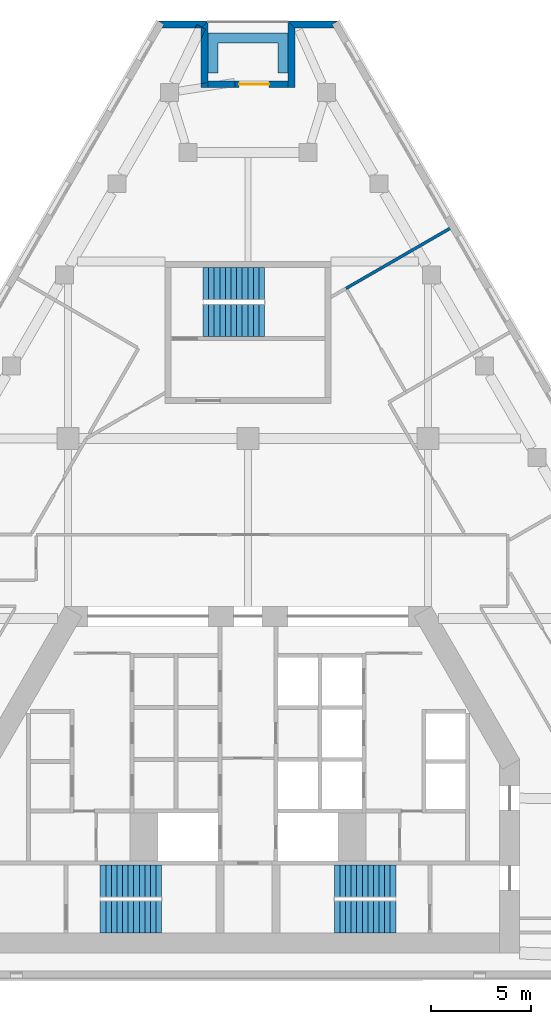
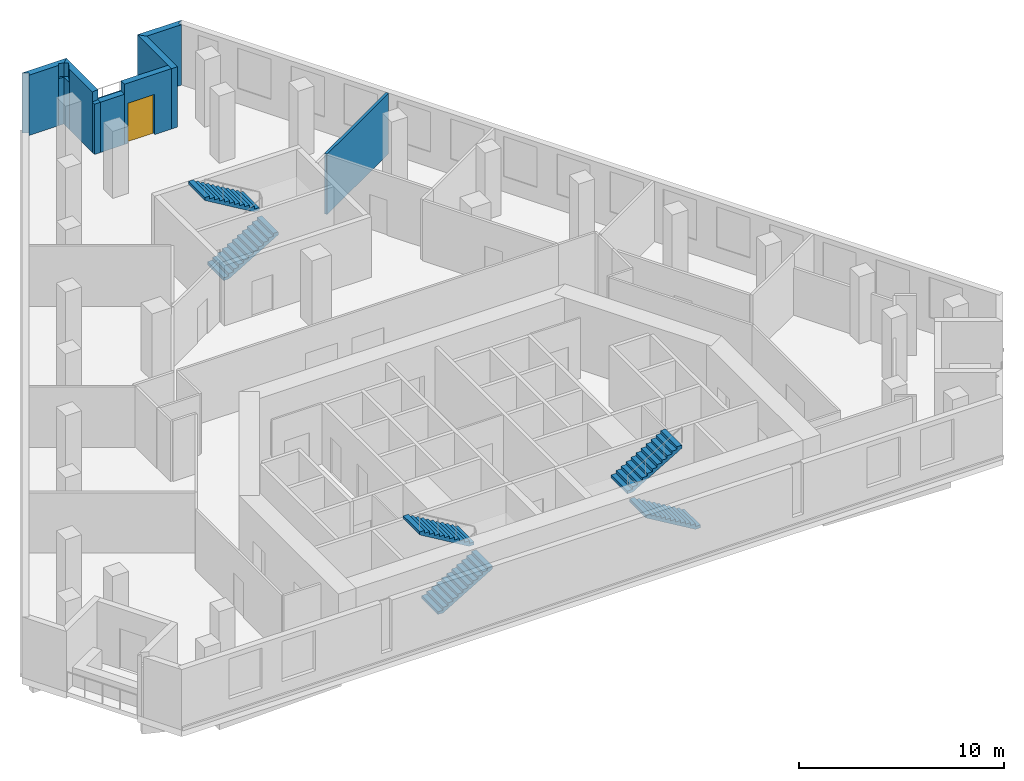
# One storey, part 8 of 9: 11 walls, 6 stair flights, 1 door, 1 opening, 3 elements without a shape of their own.
"""IFC4 building model written with IfcOpenShell, lengths in metres."""

from ifc_helpers import new_model, si_unit, direction, frame, frame_2d, origin, place, context, subcontext, project, spatial, polyline, rectangle, outline, extrude, material, layer, layer_set, type_object, element, fill, aggregate, save


model = new_model("IFC4")

# Units and contexts
model_context = context("Model", 3, precision=1e-05, world=origin(), true_north=direction((0.0, 1.0)))
body_context = subcontext(model_context, "Body", "Model", "MODEL_VIEW")
ifc_project = project(units=[si_unit("LENGTHUNIT", "METRE"), si_unit("AREAUNIT", "SQUARE_METRE"), si_unit("VOLUMEUNIT", "CUBIC_METRE"), si_unit("PLANEANGLEUNIT", "RADIAN"), si_unit("MASSUNIT", "GRAM", prefix="KILO")], contexts=[model_context])

# Site, building, storey
site_placement = place(None, origin())
site = spatial("IfcSite", under=ifc_project, at=site_placement, CompositionType="ELEMENT")
building_placement = place(site_placement, origin())
building = spatial("IfcBuilding", under=site, at=building_placement, Name="Fogline Exchange Tower", CompositionType="ELEMENT")
storey_placement = place(building_placement, frame((0.0, 0.0, 198.10009765625)))
storey = spatial("IfcBuildingStorey", under=building, at=storey_placement, Name="L44", CompositionType="ELEMENT", Elevation=198.10009765625)

# Walls
ifc_material_1 = material(Name="Brick masonry", Category="masonry")
ifc_layer_1 = layer(ifc_material_1, 0.340087890625)
ifc_layer_set_1 = layer_set([ifc_layer_1], Name="FW1")
wall_type_1 = type_object("IfcWallType", Name="FW1", PredefinedType="SOLIDWALL", material=ifc_layer_set_1)
wall_1_placement = place(storey_placement, origin())
element("IfcWall", 1, at=wall_1_placement, inside=storey, type_object=wall_type_1, Name="Brick wall L44 N-c1", PredefinedType="SOLIDWALL", context=body_context, shape_type="SweptSolid", body=[
    extrude(outline(polyline([(1.9990234375, 47.9072265625), (4.5009765625, 47.9072265625), (4.501220703125, 47.90673828125), (4.206298828125, 47.736328125), (4.3046875, 47.566162109375), (2.33984375, 47.566162109375), (1.998779296875, 47.906982421875), (1.9990234375, 47.9072265625)])), origin(), (0.0, 0.0, 1.0), 3.599853515625),
])
wall_2_placement = place(storey_placement, origin())
element("IfcWall", 2, at=wall_2_placement, inside=storey, type_object=wall_type_1, Name="Brick wall L44 N-s1", PredefinedType="SOLIDWALL", context=body_context, shape_type="SweptSolid", body=[
    extrude(outline(polyline([(2.340576171875, 44.566162109375), (1.99951171875, 44.566162109375), (1.99951171875, 47.90771484375), (1.999755859375, 47.90771484375), (2.340576171875, 47.56689453125), (2.340576171875, 44.566162109375)])), origin(), (0.0, 0.0, 1.0), 3.599853515625),
])

# Wall, opening, door
wall_3_placement = place(storey_placement, frame((2.0, 44.736572265625, 0.0), z_axis=(0.0, 0.0, 1.0), x_axis=(-1.0, 0.0, 0.0)))
wall_3 = element("IfcWall", 3, at=wall_3_placement, inside=storey, type_object=wall_type_1, Name="Brick wall L44 N-bk", PredefinedType="SOLIDWALL", context=body_context, shape_type="SweptSolid", body=[
    extrude(rectangle(XDim=2.64892578125, YDim=0.340087890625, at=frame_2d((1.324462890625, 0.0))), origin(), (0.0, 0.0, 1.0), 3.599853515625),
])
opening_placement = place(wall_3_placement, frame((0.948974609375, 0.0, 0.0)))
opening = element("IfcOpeningElement", 4, at=opening_placement, cuts=wall_3, Name="Opening T14-E141", PredefinedType="OPENING", context=body_context, shape_type="SweptSolid", body=[
    extrude(rectangle(XDim=1.5, YDim=2.39990234375, at=frame_2d((0.75, 1.199951171875))), frame((0.0, 0.18017578125, 0.0), z_axis=(0.0, -1.0, 0.0), x_axis=(1.0, 0.0, 0.0)), (0.0, 0.0, 1.0), 0.360107421875),
])
ifc_material_2 = material(Name="Aluminium and glass", Category="aluminium")
door_type = type_object("IfcDoorType", Name="ED4", OperationType="SINGLE_SWING_LEFT", PredefinedType="DOOR", material=ifc_material_2)
door_placement = place(opening_placement, frame((1.5, 0.0, 0.0), z_axis=(0.0, 0.0, 1.0), x_axis=(-1.0, 0.0, 0.0)))
door = element("IfcDoor", 5, at=door_placement, inside=storey, type_object=door_type, Name="Balcony door L44 N", OperationType="DOUBLE_DOOR_SINGLE_SWING", OverallHeight=2.39990234375, OverallWidth=1.5, PredefinedType="DOOR", context=body_context, shape_type="SweptSolid", body=[
    extrude(rectangle(XDim=1.5, YDim=2.39990234375, at=frame_2d((0.75, 1.199951171875))), frame((0.0, 0.02490234375, 0.0), z_axis=(0.0, -1.0, 0.0), x_axis=(1.0, 0.0, 0.0)), (0.0, 0.0, 1.0), 0.050048828125),
])
fill(opening, door)

# Walls
wall_4_placement = place(storey_placement, frame((-0.64892578125, 44.736572265625, 0.0), z_axis=(0.0, 0.0, 1.0), x_axis=(-1.0, 0.0, 0.0)))
element("IfcWall", 6, at=wall_4_placement, inside=storey, type_object=wall_type_1, Name="Brick wall L44 N-bk", PredefinedType="SOLIDWALL", context=body_context, shape_type="SweptSolid", body=[
    extrude(rectangle(XDim=1.35107421875, YDim=0.340087890625, at=frame_2d((0.675537109375, 0.0))), origin(), (0.0, 0.0, 1.0), 3.0),
])
wall_5_placement = place(storey_placement, origin())
element("IfcWall", 7, at=wall_5_placement, inside=storey, type_object=wall_type_1, Name="Brick wall L44 N-s2", PredefinedType="SOLIDWALL", context=body_context, shape_type="SweptSolid", body=[
    extrude(outline(polyline([(-2.340576171875, 47.56689453125), (-2.31005859375, 47.597412109375), (-2.11474609375, 47.503173828125), (-2.340576171875, 47.03466796875), (-2.340576171875, 47.56689453125)])), origin(), (0.0, 0.0, 1.0), 2.7998046875),
])
wall_6_placement = place(storey_placement, origin())
element("IfcWall", 8, at=wall_6_placement, inside=storey, type_object=wall_type_1, Name="Brick wall L44 N-s2", PredefinedType="SOLIDWALL", context=body_context, shape_type="SweptSolid", body=[
    extrude(outline(polyline([(-2.340576171875, 44.566162109375), (-2.340576171875, 44.774658203125), (-1.99951171875, 44.82763671875), (-1.99951171875, 44.566162109375), (-2.340576171875, 44.566162109375)])), origin(), (0.0, 0.0, 1.0), 3.0),
])
wall_7_placement = place(storey_placement, origin())
element("IfcWall", 9, at=wall_7_placement, inside=storey, type_object=wall_type_1, Name="Brick wall L44 N-s2", PredefinedType="SOLIDWALL", context=body_context, shape_type="SweptSolid", body=[
    extrude(outline(polyline([(-2.340576171875, 47.03466796875), (-2.11474609375, 47.503173828125), (-2.31005859375, 47.597412109375), (-1.999755859375, 47.90771484375), (-1.99951171875, 47.90771484375), (-1.99951171875, 44.82763671875), (-2.340576171875, 44.774658203125), (-2.340576171875, 47.03466796875)])), origin(), (0.0, 0.0, 1.0), 3.599853515625),
])
wall_8_placement = place(storey_placement, origin())
element("IfcWall", 10, at=wall_8_placement, inside=storey, type_object=wall_type_1, Name="Brick wall L44 N-c2", PredefinedType="SOLIDWALL", context=body_context, shape_type="SweptSolid", body=[
    extrude(outline(polyline([(-2.33984375, 47.566162109375), (-2.6396484375, 47.566162109375), (-2.565185546875, 47.72021484375), (-2.30908203125, 47.596923828125), (-2.33984375, 47.566162109375)])), origin(), (0.0, 0.0, 1.0), 2.7998046875),
])
wall_9_placement = place(storey_placement, origin())
element("IfcWall", 11, at=wall_9_placement, inside=storey, type_object=wall_type_1, Name="Brick wall L44 N-c2", PredefinedType="SOLIDWALL", context=body_context, shape_type="SweptSolid", body=[
    extrude(outline(polyline([(-4.206298828125, 47.736328125), (-4.501220703125, 47.90673828125), (-4.5009765625, 47.9072265625), (-1.9990234375, 47.9072265625), (-1.998779296875, 47.906982421875), (-2.30908203125, 47.596923828125), (-2.565185546875, 47.72021484375), (-2.6396484375, 47.566162109375), (-4.3046875, 47.566162109375), (-4.206298828125, 47.736328125)])), origin(), (0.0, 0.0, 1.0), 3.599853515625),
])
ifc_material_3 = material(Name="Concrete C30", Category="concrete")
ifc_layer_2 = layer(ifc_material_3, 0.199951171875)
ifc_layer_set_2 = layer_set([ifc_layer_2], Name="PL1")
wall_type_2 = type_object("IfcWallType", Name="PL1", PredefinedType="USERDEFINED", material=ifc_layer_set_2)
wall_10_placement = place(storey_placement, origin())
element("IfcWall", 12, at=wall_10_placement, inside=storey, type_object=wall_type_2, Name="PLANTER balcony L44 N", ObjectType="PLANTER", PredefinedType="USERDEFINED", context=body_context, shape_type="SweptSolid", body=[
    extrude(outline(polyline([(-1.5, 47.306640625), (-2.0, 47.306640625), (-2.0, 46.806640625), (-2.0, 45.306640625), (-1.5, 45.306640625), (-1.5, 46.806640625), (1.5, 46.806640625), (1.5, 45.306640625), (2.0, 45.306640625), (2.0, 46.806640625), (2.0, 47.306640625), (1.5, 47.306640625), (-1.5, 47.306640625)])), origin(), (0.0, 0.0, 1.0), 1.099853515625),
])
ifc_material_4 = material(Name="Plasterboard demising partition with mineral wool and acoustic board")
ifc_layer_3 = layer(ifc_material_4, 0.14990234375)
ifc_layer_set_3 = layer_set([ifc_layer_3], Name="PW3")
wall_type_3 = type_object("IfcWallType", Name="PW3", PredefinedType="PARTITIONING", material=ifc_layer_set_3)
wall_11_placement = place(storey_placement, frame((4.9072265625, 34.52099609375, 0.0), z_axis=(0.0, 0.0, 1.0), x_axis=(0.866031096941, 0.499990139034, 0.0)))
element("IfcWall", 13, at=wall_11_placement, inside=storey, type_object=wall_type_3, Name="wall-L44-W026", PredefinedType="PARTITIONING", context=body_context, shape_type="SweptSolid", body=[
    extrude(rectangle(XDim=6.0, YDim=0.14990234375, at=frame_2d((3.0, 0.0))), origin(), (0.0, 0.0, 1.0), 3.599853515625),
])

# Stair, stair flights
ifc_material_5 = material(Name="Concrete C40", Category="concrete")
stair_type = type_object("IfcStairType", Name="STR24-1667", PredefinedType="HALF_TURN_STAIR", material=ifc_material_5)
stair_1_placement = place(storey_placement, origin())
stair_1 = element("IfcStair", 14, at=stair_1_placement, inside=storey, type_object=stair_type, Name="Stair ST1", PredefinedType="HALF_TURN_STAIR")
stair_flight_type = type_object("IfcStairFlightType", Name="SF12-1667", PredefinedType="STRAIGHT", material=ifc_material_5)
stair_flight_1_placement = place(storey_placement, frame((-7.39990234375, 3.050048828125, 0.0), z_axis=(0.0, 0.0, 1.0), x_axis=(1.0, 0.0, 0.0)))
stair_flight_1 = element("IfcStairFlight", 15, at=stair_flight_1_placement, type_object=stair_flight_type, Name="ST1 flight 1", NumberOfRisers=12, NumberOfTreads=11, PredefinedType="STRAIGHT", RiserHeight=0.166666667, TreadLength=0.28, context=body_context, shape_type="SweptSolid", body=[
    extrude(outline(polyline([(0.0, 0.0), (0.0, 0.166748046875), (0.280029296875, 0.166748046875), (0.280029296875, 0.333251953125), (0.56005859375, 0.333251953125), (0.56005859375, 0.5), (0.840087890625, 0.5), (0.840087890625, 0.666748046875), (1.1201171875, 0.666748046875), (1.1201171875, 0.833251953125), (1.39990234375, 0.833251953125), (1.39990234375, 1.0), (1.679931640625, 1.0), (1.679931640625, 1.166748046875), (1.9599609375, 1.166748046875), (1.9599609375, 1.333251953125), (2.239990234375, 1.333251953125), (2.239990234375, 1.5), (2.52001953125, 1.5), (2.52001953125, 1.666748046875), (2.800048828125, 1.666748046875), (2.800048828125, 1.833251953125), (3.080078125, 1.833251953125), (3.080078125, 2.0), (3.080078125, 1.658935546875), (0.29296875, 0.0), (0.0, 0.0)])), frame((0.0, 0.800048828125, 0.0), z_axis=(0.0, -1.0, 0.0), x_axis=(1.0, 0.0, 0.0)), (0.0, 0.0, 1.0), 1.60009765625),
])
stair_flight_2_placement = place(storey_placement, frame((-4.320068359375, 4.85009765625, 2.0), z_axis=(0.0, 0.0, 1.0), x_axis=(-1.0, 0.0, 0.0)))
stair_flight_2 = element("IfcStairFlight", 16, at=stair_flight_2_placement, type_object=stair_flight_type, Name="ST1 flight 2", NumberOfRisers=12, NumberOfTreads=11, PredefinedType="STRAIGHT", RiserHeight=0.166666667, TreadLength=0.28, context=body_context, shape_type="SweptSolid", body=[
    extrude(outline(polyline([(0.0, 0.0), (0.0, 0.166748046875), (0.280029296875, 0.166748046875), (0.280029296875, 0.333251953125), (0.56005859375, 0.333251953125), (0.56005859375, 0.5), (0.840087890625, 0.5), (0.840087890625, 0.666748046875), (1.1201171875, 0.666748046875), (1.1201171875, 0.833251953125), (1.39990234375, 0.833251953125), (1.39990234375, 1.0), (1.679931640625, 1.0), (1.679931640625, 1.166748046875), (1.9599609375, 1.166748046875), (1.9599609375, 1.333251953125), (2.239990234375, 1.333251953125), (2.239990234375, 1.5), (2.52001953125, 1.5), (2.52001953125, 1.666748046875), (2.800048828125, 1.666748046875), (2.800048828125, 1.833251953125), (3.080078125, 1.833251953125), (3.080078125, 2.0), (3.080078125, 1.658935546875), (0.29296875, 0.0), (0.0, 0.0)])), frame((0.0, 0.800048828125, 0.0), z_axis=(0.0, -1.0, 0.0), x_axis=(1.0, 0.0, 0.0)), (0.0, 0.0, 1.0), 1.60009765625),
])
aggregate(stair_1, [stair_flight_1, stair_flight_2])

stair_2_placement = place(storey_placement, origin())
stair_2 = element("IfcStair", 17, at=stair_2_placement, inside=storey, type_object=stair_type, Name="Stair ST2", PredefinedType="HALF_TURN_STAIR")
stair_flight_3_placement = place(storey_placement, frame((7.39990234375, 3.050048828125, 0.0), z_axis=(0.0, 0.0, 1.0), x_axis=(-1.0, 0.0, 0.0)))
stair_flight_3 = element("IfcStairFlight", 18, at=stair_flight_3_placement, type_object=stair_flight_type, Name="ST2 flight 1", NumberOfRisers=12, NumberOfTreads=11, PredefinedType="STRAIGHT", RiserHeight=0.166666667, TreadLength=0.28, context=body_context, shape_type="SweptSolid", body=[
    extrude(outline(polyline([(0.0, 0.0), (0.0, 0.166748046875), (0.280029296875, 0.166748046875), (0.280029296875, 0.333251953125), (0.56005859375, 0.333251953125), (0.56005859375, 0.5), (0.840087890625, 0.5), (0.840087890625, 0.666748046875), (1.1201171875, 0.666748046875), (1.1201171875, 0.833251953125), (1.39990234375, 0.833251953125), (1.39990234375, 1.0), (1.679931640625, 1.0), (1.679931640625, 1.166748046875), (1.9599609375, 1.166748046875), (1.9599609375, 1.333251953125), (2.239990234375, 1.333251953125), (2.239990234375, 1.5), (2.52001953125, 1.5), (2.52001953125, 1.666748046875), (2.800048828125, 1.666748046875), (2.800048828125, 1.833251953125), (3.080078125, 1.833251953125), (3.080078125, 2.0), (3.080078125, 1.658935546875), (0.29296875, 0.0), (0.0, 0.0)])), frame((0.0, 0.800048828125, 0.0), z_axis=(0.0, -1.0, 0.0), x_axis=(1.0, 0.0, 0.0)), (0.0, 0.0, 1.0), 1.60009765625),
])
stair_flight_4_placement = place(storey_placement, frame((4.320068359375, 4.85009765625, 2.0), z_axis=(0.0, 0.0, 1.0), x_axis=(1.0, 0.0, 0.0)))
stair_flight_4 = element("IfcStairFlight", 19, at=stair_flight_4_placement, type_object=stair_flight_type, Name="ST2 flight 2", NumberOfRisers=12, NumberOfTreads=11, PredefinedType="STRAIGHT", RiserHeight=0.166666667, TreadLength=0.28, context=body_context, shape_type="SweptSolid", body=[
    extrude(outline(polyline([(0.0, 0.0), (0.0, 0.166748046875), (0.280029296875, 0.166748046875), (0.280029296875, 0.333251953125), (0.56005859375, 0.333251953125), (0.56005859375, 0.5), (0.840087890625, 0.5), (0.840087890625, 0.666748046875), (1.1201171875, 0.666748046875), (1.1201171875, 0.833251953125), (1.39990234375, 0.833251953125), (1.39990234375, 1.0), (1.679931640625, 1.0), (1.679931640625, 1.166748046875), (1.9599609375, 1.166748046875), (1.9599609375, 1.333251953125), (2.239990234375, 1.333251953125), (2.239990234375, 1.5), (2.52001953125, 1.5), (2.52001953125, 1.666748046875), (2.800048828125, 1.666748046875), (2.800048828125, 1.833251953125), (3.080078125, 1.833251953125), (3.080078125, 2.0), (3.080078125, 1.658935546875), (0.29296875, 0.0), (0.0, 0.0)])), frame((0.0, 0.800048828125, 0.0), z_axis=(0.0, -1.0, 0.0), x_axis=(1.0, 0.0, 0.0)), (0.0, 0.0, 1.0), 1.60009765625),
])
aggregate(stair_2, [stair_flight_3, stair_flight_4])

stair_3_placement = place(storey_placement, origin())
stair_3 = element("IfcStair", 20, at=stair_3_placement, inside=storey, type_object=stair_type, Name="Stair ST3", PredefinedType="HALF_TURN_STAIR")
stair_flight_5_placement = place(storey_placement, frame((-2.25, 32.906982421875, 0.0), z_axis=(0.0, 0.0, 1.0), x_axis=(1.0, 0.0, 0.0)))
stair_flight_5 = element("IfcStairFlight", 21, at=stair_flight_5_placement, type_object=stair_flight_type, Name="ST3 flight 1", NumberOfRisers=12, NumberOfTreads=11, PredefinedType="STRAIGHT", RiserHeight=0.166666667, TreadLength=0.28, context=body_context, shape_type="SweptSolid", body=[
    extrude(outline(polyline([(0.0, 0.0), (0.0, 0.166748046875), (0.280029296875, 0.166748046875), (0.280029296875, 0.333251953125), (0.56005859375, 0.333251953125), (0.56005859375, 0.5), (0.840087890625, 0.5), (0.840087890625, 0.666748046875), (1.1201171875, 0.666748046875), (1.1201171875, 0.833251953125), (1.39990234375, 0.833251953125), (1.39990234375, 1.0), (1.679931640625, 1.0), (1.679931640625, 1.166748046875), (1.9599609375, 1.166748046875), (1.9599609375, 1.333251953125), (2.239990234375, 1.333251953125), (2.239990234375, 1.5), (2.52001953125, 1.5), (2.52001953125, 1.666748046875), (2.800048828125, 1.666748046875), (2.800048828125, 1.833251953125), (3.080078125, 1.833251953125), (3.080078125, 2.0), (3.080078125, 1.658935546875), (0.29296875, 0.0), (0.0, 0.0)])), frame((0.0, 0.800048828125, 0.0), z_axis=(0.0, -1.0, 0.0), x_axis=(1.0, 0.0, 0.0)), (0.0, 0.0, 1.0), 1.60009765625),
])
stair_flight_6_placement = place(storey_placement, frame((0.830078125, 34.757080078125, 2.0), z_axis=(0.0, 0.0, 1.0), x_axis=(-1.0, 0.0, 0.0)))
stair_flight_6 = element("IfcStairFlight", 22, at=stair_flight_6_placement, type_object=stair_flight_type, Name="ST3 flight 2", NumberOfRisers=12, NumberOfTreads=11, PredefinedType="STRAIGHT", RiserHeight=0.166666667, TreadLength=0.28, context=body_context, shape_type="SweptSolid", body=[
    extrude(outline(polyline([(0.0, 0.0), (0.0, 0.166748046875), (0.280029296875, 0.166748046875), (0.280029296875, 0.333251953125), (0.56005859375, 0.333251953125), (0.56005859375, 0.5), (0.840087890625, 0.5), (0.840087890625, 0.666748046875), (1.1201171875, 0.666748046875), (1.1201171875, 0.833251953125), (1.39990234375, 0.833251953125), (1.39990234375, 1.0), (1.679931640625, 1.0), (1.679931640625, 1.166748046875), (1.9599609375, 1.166748046875), (1.9599609375, 1.333251953125), (2.239990234375, 1.333251953125), (2.239990234375, 1.5), (2.52001953125, 1.5), (2.52001953125, 1.666748046875), (2.800048828125, 1.666748046875), (2.800048828125, 1.833251953125), (3.080078125, 1.833251953125), (3.080078125, 2.0), (3.080078125, 1.658935546875), (0.29296875, 0.0), (0.0, 0.0)])), frame((0.0, 0.800048828125, 0.0), z_axis=(0.0, -1.0, 0.0), x_axis=(1.0, 0.0, 0.0)), (0.0, 0.0, 1.0), 1.60009765625),
])
aggregate(stair_3, [stair_flight_5, stair_flight_6])

save(model, "model.ifc")
